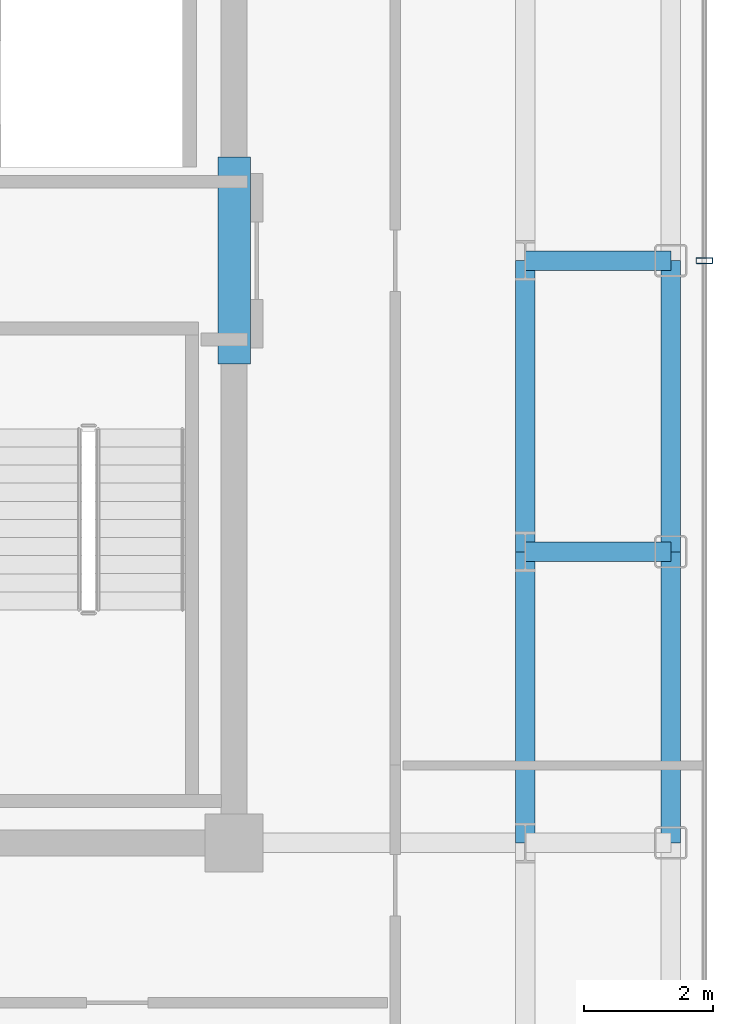
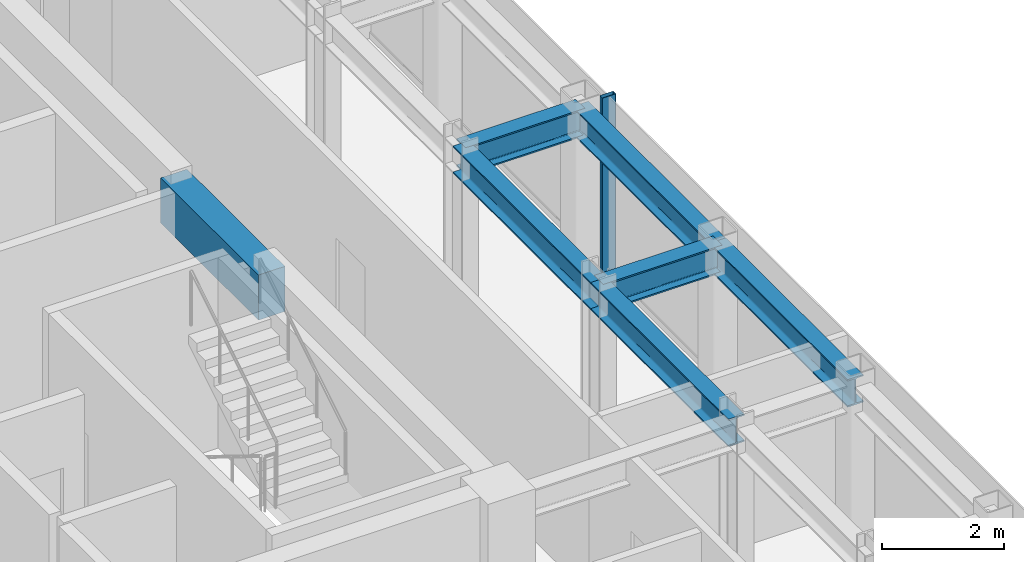
# One storey, part 7 of 18: 7 beams, 1 member, 1 element without a shape of its own.
"""IFC4 building model written with IfcOpenShell, lengths in metres."""

import ifcopenshell
import ifcopenshell.guid

model = None  # the IFC model being written
_history = None  # IfcOwnerHistory: only IFC2X3 demands one
_inside = {}  # id of a spatial element -> (the spatial element, [elements in it])
_under = {}  # id of a project, library or spatial element -> (it, [spatial elements below it])
_declared = {}  # id of a project -> (the project, [libraries it declares])
_typed = {}  # id of a type object -> (the type object, [elements of that type])
_made_of = {}  # id of a material, layer set ... -> (it, [elements and type objects made of it])


def new_model(schema):
    """Start an empty IFC model of exactly this schema.

    Asked for "IFC4X3", IfcOpenShell would pick the latest addendum, in which some entities
    have other attributes; the version numbers below select the first issue.
    IFC2X3 requires an IfcOwnerHistory on every rooted entity: one is made here for all.
    """
    global model, _history
    if schema == "IFC4X3":
        model = ifcopenshell.file(schema_version=(4, 3, 0, 0))
    else:
        model = ifcopenshell.file(schema=schema)
    _inside.clear()
    _under.clear()
    _declared.clear()
    _typed.clear()
    _made_of.clear()
    _history = None
    if model.schema == "IFC2X3":
        org = make("IfcOrganization", Name="unknown")
        user = make(
            "IfcPersonAndOrganization",
            ThePerson=make("IfcPerson", FamilyName="unknown"),
            TheOrganization=org,
        )
        app = make(
            "IfcApplication",
            ApplicationDeveloper=org,
            Version="unknown",
            ApplicationFullName="unknown",
            ApplicationIdentifier="unknown",
        )
        _history = make(
            "IfcOwnerHistory",
            OwningUser=user,
            OwningApplication=app,
            ChangeAction="ADDED",
            CreationDate=0,
        )
    return model


def make(cls, **values):
    """One entity of the class cls with the attributes given. An attribute that is None is left unset."""
    return model.create_entity(
        cls, **{name: value for name, value in values.items() if value is not None}
    )


def rooted(cls, **values):
    """An entity with a GlobalId (a new one), such as an element, a storey or a relation."""
    return make(cls, GlobalId=ifcopenshell.guid.new(), OwnerHistory=_history, **values)


def si_unit(unit_type, name, prefix=None):
    """IfcSIUnit, for example si_unit("LENGTHUNIT", "METRE", prefix="MILLI")."""
    return make("IfcSIUnit", UnitType=unit_type, Prefix=prefix, Name=name)


def assignment(units):
    """IfcUnitAssignment: the units of a project."""
    return None if units is None else make("IfcUnitAssignment", Units=units)


def point(xyz):
    """IfcCartesianPoint."""
    return None if xyz is None else make("IfcCartesianPoint", Coordinates=xyz)


def direction(xyz):
    """IfcDirection."""
    return None if xyz is None else make("IfcDirection", DirectionRatios=xyz)


def frame(location, z_axis=None, x_axis=None):
    """IfcAxis2Placement3D, a coordinate frame: its origin and axes. An axis left out is left unset."""
    return make(
        "IfcAxis2Placement3D",
        Location=point(location),
        Axis=direction(z_axis),
        RefDirection=direction(x_axis),
    )


def frame_2d(location, x_axis=None):
    """IfcAxis2Placement2D, a coordinate frame in the plane: its origin and x axis."""
    return make(
        "IfcAxis2Placement2D", Location=point(location), RefDirection=direction(x_axis)
    )


def origin():
    """The frame at (0, 0, 0) with its axes left unset."""
    return frame((0.0, 0.0, 0.0))


def origin_2d():
    """The frame at (0, 0) in the plane with its x axis left unset."""
    return frame_2d((0.0, 0.0))


def place(relative_to, where):
    """IfcLocalPlacement: puts the frame where relative to a parent placement (None: the world)."""
    return make(
        "IfcLocalPlacement", PlacementRelTo=relative_to, RelativePlacement=where
    )


def context(
    kind, dimensions, precision=None, world=None, true_north=None, identifier=None
):
    """IfcGeometricRepresentationContext, for example the 3D "Model" context."""
    return make(
        "IfcGeometricRepresentationContext",
        ContextIdentifier=identifier,
        ContextType=kind,
        CoordinateSpaceDimension=dimensions,
        Precision=precision,
        WorldCoordinateSystem=world,
        TrueNorth=true_north,
    )


def subcontext(parent, identifier, kind, view, scale=None):
    """IfcGeometricRepresentationSubContext, for example "Body" below "Model"."""
    return make(
        "IfcGeometricRepresentationSubContext",
        ContextIdentifier=identifier,
        ContextType=kind,
        ParentContext=parent,
        TargetScale=scale,
        TargetView=view,
    )


def project(units=None, contexts=None):
    """IfcProject with its units and contexts."""
    return rooted(
        "IfcProject",
        Name="project",
        RepresentationContexts=contexts,
        UnitsInContext=assignment(units),
    )


def spatial(cls, under=None, at=None, **own):
    """A site, building, storey or space (cls), placed at a placement, below another one or the project."""
    s = rooted(cls, ObjectPlacement=at, **own)
    if under is not None:
        _under.setdefault(under.id(), (under, []))[1].append(s)
    return s


def profile(cls, at=None, kind="AREA", **sizes):
    """A parametric profile (cls). Its sizes go by their IFC names, for example OverallWidth=200.0."""
    return make(cls, ProfileType=kind, Position=at, **sizes)


def rectangle(**sizes):
    """IfcRectangleProfileDef."""
    return profile("IfcRectangleProfileDef", **sizes)


def hollow_rectangle(**sizes):
    """IfcRectangleHollowProfileDef."""
    return profile("IfcRectangleHollowProfileDef", **sizes)


def i_section(**sizes):
    """IfcIShapeProfileDef."""
    return profile("IfcIShapeProfileDef", **sizes)


def extrude(swept, where, along, depth):
    """IfcExtrudedAreaSolid: the profile swept, set in the frame where, extruded along a direction by depth."""
    return make(
        "IfcExtrudedAreaSolid",
        SweptArea=swept,
        Position=where,
        ExtrudedDirection=direction(along),
        Depth=depth,
    )


def shape(context_of_items, identifier, shape_type, items):
    """IfcShapeRepresentation: the items that make up one representation, for example the "Body"."""
    return make(
        "IfcShapeRepresentation",
        ContextOfItems=context_of_items,
        RepresentationIdentifier=identifier,
        RepresentationType=shape_type,
        Items=items,
    )


def source(mapping_origin, context_of_items, identifier, shape_type, items):
    """IfcRepresentationMap: a shape defined once, which mapped items show again and again."""
    return make(
        "IfcRepresentationMap",
        MappingOrigin=mapping_origin,
        MappedRepresentation=shape(context_of_items, identifier, shape_type, items),
    )


def transform(
    local_origin,
    x_axis=None,
    y_axis=None,
    z_axis=None,
    scale=None,
    scale2=None,
    scale3=None,
    uniform=True,
):
    """IfcCartesianTransformationOperator3D, or its non-uniform kind. x_axis, y_axis, z_axis: its Axis1, 2, 3."""
    if uniform:
        return make(
            "IfcCartesianTransformationOperator3D",
            Axis1=direction(x_axis),
            Axis2=direction(y_axis),
            LocalOrigin=point(local_origin),
            Scale=scale,
            Axis3=direction(z_axis),
        )
    return make(
        "IfcCartesianTransformationOperator3DnonUniform",
        Axis1=direction(x_axis),
        Axis2=direction(y_axis),
        LocalOrigin=point(local_origin),
        Scale=scale,
        Axis3=direction(z_axis),
        Scale2=scale2,
        Scale3=scale3,
    )


def mapped(mapping_source, mapping_target):
    """IfcMappedItem: shows the shape of a source again, moved by a transform."""
    return make(
        "IfcMappedItem", MappingSource=mapping_source, MappingTarget=mapping_target
    )


def material(Name=None, Category=None):
    """IfcMaterial."""
    return make("IfcMaterial", Name=Name, Category=Category)


def layer(
    of_material, thickness, ventilated=None, Name=None, Category=None, Priority=None
):
    """IfcMaterialLayer: one layer of a wall or slab, of a material (None: an air gap)."""
    return make(
        "IfcMaterialLayer",
        Material=of_material,
        LayerThickness=thickness,
        IsVentilated=ventilated,
        Name=Name,
        Category=Category,
        Priority=Priority,
    )


def layer_set(layers, Name=None):
    """IfcMaterialLayerSet."""
    return make("IfcMaterialLayerSet", MaterialLayers=layers, LayerSetName=Name)


def material_profile(
    of_material, cross_section, Name=None, Category=None, Priority=None
):
    """IfcMaterialProfile: a cross section and its material."""
    return make(
        "IfcMaterialProfile",
        Name=Name,
        Material=of_material,
        Profile=cross_section,
        Priority=Priority,
        Category=Category,
    )


def profile_set(profiles, Name=None, composite=None):
    """IfcMaterialProfileSet."""
    return make(
        "IfcMaterialProfileSet",
        Name=Name,
        MaterialProfiles=profiles,
        CompositeProfile=composite,
    )


def made_of(thing, what):
    """Note that an element or type object is made of a material, layer set ...; save() writes the relation."""
    if what is not None:
        _made_of.setdefault(what.id(), (what, []))[1].append(thing)
    return thing


def type_object(cls, material=None, **own):
    """A type object (cls), such as IfcWallType, which elements share."""
    return made_of(rooted(cls, **own), material)


def element(
    cls,
    number,
    at=None,
    inside=None,
    cuts=None,
    type_object=None,
    material=None,
    context=None,
    identifier="Body",
    shape_type=None,
    held_by="IfcProductDefinitionShape",
    body=None,
    shapes=None,
    **own,
):
    """One element of the class cls, such as IfcWall. Its Tag is "e" and its number.

    at: its placement. inside: the storey or other place that contains it. cuts: it is an
    opening in that element (IfcRelVoidsElement). A single representation is given by context,
    identifier, shape_type and body (its items); several are given by shapes. held_by: the class
    of the entity that holds the representations. save() writes the other relations.
    """
    e = rooted(cls, Tag="e%d" % number, ObjectPlacement=at, **own)
    if body is not None:
        shapes = [shape(context, identifier, shape_type, body)]
    if shapes is not None:
        e.Representation = make(held_by, Representations=shapes)
    if inside is not None:
        _inside.setdefault(inside.id(), (inside, []))[1].append(e)
    if cuts is not None:
        rooted(
            "IfcRelVoidsElement", RelatingBuildingElement=cuts, RelatedOpeningElement=e
        )
    if type_object is not None:
        _typed.setdefault(type_object.id(), (type_object, []))[1].append(e)
    return made_of(e, material)


def aggregate(whole, parts):
    """IfcRelAggregates: a whole, such as a stair, and the parts it consists of."""
    return rooted("IfcRelAggregates", RelatingObject=whole, RelatedObjects=parts)


def save(model, path):
    """Write the relations noted so far, then the file.

    IfcRelAggregates (storeys below a building ...), IfcRelContainedInSpatialStructure (elements
    in a storey), IfcRelDefinesByType, IfcRelAssociatesMaterial and IfcRelDeclares: one each for
    every whole, place, type object, material and project.
    """
    for whole, parts in _under.values():
        aggregate(whole, parts)
    for where, things in _inside.values():
        rooted(
            "IfcRelContainedInSpatialStructure",
            RelatedElements=things,
            RelatingStructure=where,
        )
    for kind, things in _typed.values():
        rooted("IfcRelDefinesByType", RelatedObjects=things, RelatingType=kind)
    for what, things in _made_of.values():
        rooted("IfcRelAssociatesMaterial", RelatedObjects=things, RelatingMaterial=what)
    for by, libraries in _declared.values():
        rooted("IfcRelDeclares", RelatingContext=by, RelatedDefinitions=libraries)
    model.write(path)


model = new_model("IFC4")

# Units and contexts
model_context = context("Model", 3, precision=1e-05, world=origin(), true_north=direction((0.0, 1.0)))
body_context = subcontext(model_context, "Body", "Model", "MODEL_VIEW")
ifc_project = project(units=[si_unit("LENGTHUNIT", "METRE"), si_unit("AREAUNIT", "SQUARE_METRE"), si_unit("VOLUMEUNIT", "CUBIC_METRE"), si_unit("PLANEANGLEUNIT", "RADIAN"), si_unit("MASSUNIT", "GRAM", prefix="KILO")], contexts=[model_context])

# Site, building, storey
site_placement = place(None, origin())
site = spatial("IfcSite", under=ifc_project, at=site_placement, CompositionType="ELEMENT")
building_placement = place(site_placement, origin())
building = spatial("IfcBuilding", under=site, at=building_placement, Name="Nefas-Gora Pilgrimage Tower", CompositionType="ELEMENT")
storey_placement = place(building_placement, frame((0.0, 0.0, 326.199951171875)))
storey = spatial("IfcBuildingStorey", under=building, at=storey_placement, Name="L82", CompositionType="ELEMENT", Elevation=326.199951171875)

# Beams
ifc_material_1 = material(Name="Concrete C50/60", Category="concrete")
ifc_material_profile_1 = material_profile(ifc_material_1, rectangle(XDim=0.5, YDim=0.89990234375, at=origin_2d()), Name="RC 500x900")
ifc_profile_set_1 = profile_set([ifc_material_profile_1], Name="Concrete C50/60")
beam_type_1 = type_object("IfcBeamType", Name="BM-LIN-RC900", PredefinedType="LINTEL", material=ifc_profile_set_1)
shared_shape_1 = source(origin(), body_context, "Body", "SweptSolid", [
    extrude(rectangle(XDim=0.5, YDim=0.89990234375, at=origin_2d()), origin(), (0.0, 0.0, 1.0), 3.2001953125),
])
beam_placement = place(storey_placement, frame((11.25, -1.60009765625, 3.10009765625), z_axis=(0.0, 1.0, 0.0), x_axis=(-1.0, 0.0, 0.0)))
element("IfcBeam", 1, at=beam_placement, inside=storey, type_object=beam_type_1, Name="L82 Core Coupling Lintel Beam E", PredefinedType="LINTEL", context=body_context, shape_type="MappedRepresentation", body=[
    mapped(shared_shape_1, transform((0.0, 0.0, 0.0), x_axis=(1.0, 0.0, 0.0), y_axis=(0.0, 1.0, 0.0), z_axis=(0.0, 0.0, 1.0), scale=1.0)),
])
ifc_material_2 = material(Name="Steel S355", Category="steel")
ifc_material_profile_2 = material_profile(ifc_material_2, i_section(OverallWidth=0.300048828125, OverallDepth=0.550048828125, WebThickness=0.014892578125, FlangeThickness=0.029052734375, FilletRadius=0.027099609375, at=origin_2d()), Name="HEB 550")
ifc_profile_set_2 = profile_set([ifc_material_profile_2], Name="Steel S355")
beam_type_2 = type_object("IfcBeamType", Name="BM-SPN-HEB400", PredefinedType="SPANDREL", material=ifc_profile_set_2)
shared_shape_2 = source(origin(), body_context, "Body", "SweptSolid", [
    extrude(i_section(OverallWidth=0.300048828125, OverallDepth=0.550048828125, WebThickness=0.014892578125, FlangeThickness=0.029052734375, FilletRadius=0.027099609375, at=origin_2d()), origin(), (0.0, 0.0, 1.0), 4.5),
])
for number, where, z_axis, x_axis, name in (
    (2, (18.0, -9.0, 3.275146484375), (0.0, 1.0, 0.0), (-1.0, 0.0, 0.0), "L82 SP-04 beam"),
    (3, (18.0, -4.5, 3.275146484375), (0.0, 1.0, 0.0), (-1.0, 0.0, 0.0), "L82 SP-04 beam"),
):
    element("IfcBeam", number, at=place(storey_placement, frame(where, z_axis=z_axis, x_axis=x_axis)), inside=storey, type_object=beam_type_2, Name=name, PredefinedType="SPANDREL", context=body_context, shape_type="MappedRepresentation", body=[
        mapped(shared_shape_2, transform((0.0, 0.0, 0.0), x_axis=(1.0, 0.0, 0.0), y_axis=(0.0, 1.0, 0.0), z_axis=(0.0, 0.0, 1.0), scale=1.0)),
    ])
ifc_material_profile_3 = material_profile(ifc_material_2, i_section(OverallWidth=0.300048828125, OverallDepth=0.550048828125, WebThickness=0.014892578125, FlangeThickness=0.029052734375, FilletRadius=0.027099609375, at=origin_2d()), Name="HEB 550")
ifc_profile_set_3 = profile_set([ifc_material_profile_3], Name="Steel S355")
beam_type_3 = type_object("IfcBeamType", Name="BM-GIR-HEB550", PredefinedType="BEAM", material=ifc_profile_set_3)
shared_shape_3 = source(origin(), body_context, "Body", "SweptSolid", [
    extrude(i_section(OverallWidth=0.300048828125, OverallDepth=0.550048828125, WebThickness=0.014892578125, FlangeThickness=0.029052734375, FilletRadius=0.027099609375, at=origin_2d()), origin(), (0.0, 0.0, 1.0), 4.5),
])
for number, where, z_axis, x_axis, name in (
    (4, (15.75, -9.0, 3.275146484375), (0.0, 1.0, 0.0), (-1.0, 0.0, 0.0), "L82 G-05 beam"),
    (5, (15.75, -4.5, 3.275146484375), (0.0, 1.0, 0.0), (-1.0, 0.0, 0.0), "L82 G-05 beam"),
):
    element("IfcBeam", number, at=place(storey_placement, frame(where, z_axis=z_axis, x_axis=x_axis)), inside=storey, type_object=beam_type_3, Name=name, PredefinedType="BEAM", context=body_context, shape_type="MappedRepresentation", body=[
        mapped(shared_shape_3, transform((0.0, 0.0, 0.0), x_axis=(1.0, 0.0, 0.0), y_axis=(0.0, 1.0, 0.0), z_axis=(0.0, 0.0, 1.0), scale=1.0)),
    ])
shared_shape_4 = source(origin(), body_context, "Body", "SweptSolid", [
    extrude(i_section(OverallWidth=0.300048828125, OverallDepth=0.550048828125, WebThickness=0.014892578125, FlangeThickness=0.029052734375, FilletRadius=0.027099609375, at=origin_2d()), origin(), (0.0, 0.0, 1.0), 2.25),
])
for number, where, z_axis, x_axis, name in (
    (6, (15.75, -4.5, 3.275146484375), (1.0, 0.0, 0.0), (0.0, 1.0, 0.0), "L82 G-05 beam"),
    (7, (15.75, 0.0, 3.275146484375), (1.0, 0.0, 0.0), (0.0, 1.0, 0.0), "L82 G-05 beam"),
):
    element("IfcBeam", number, at=place(storey_placement, frame(where, z_axis=z_axis, x_axis=x_axis)), inside=storey, type_object=beam_type_3, Name=name, PredefinedType="BEAM", context=body_context, shape_type="MappedRepresentation", body=[
        mapped(shared_shape_4, transform((0.0, 0.0, 0.0), x_axis=(1.0, 0.0, 0.0), y_axis=(0.0, 1.0, 0.0), z_axis=(0.0, 0.0, 1.0), scale=1.0)),
    ])

# Curtain wall, member
ifc_material_3 = material(Name="Dark ceramic-fritted solar-control aluminium-glass curtain wall", Category="aluminium")
ifc_layer = layer(ifc_material_3, 0.219970703125)
ifc_layer_set = layer_set([ifc_layer], Name="Dark ceramic-fritted solar-control aluminium-glass curtain wall")
curtain_wall_type = type_object("IfcCurtainWallType", Name="CW-SYS-4", PredefinedType="NOTDEFINED", material=ifc_layer_set)
curtain_wall_placement = place(storey_placement, origin())
curtain_wall = element("IfcCurtainWall", 8, at=curtain_wall_placement, inside=storey, type_object=curtain_wall_type, Name="L82 Unitised Curtain Wall CW4", PredefinedType="NOTDEFINED")
ifc_material_4 = material(Name="Anodised architectural aluminium", Category="aluminium")
ifc_material_profile_4 = material_profile(ifc_material_4, hollow_rectangle(XDim=0.090087890625, YDim=0.260009765625, WallThickness=0.006103515625, InnerFilletRadius=0.006103515625, OuterFilletRadius=0.011962890625, at=origin_2d()), Name="ALU MULLION 90x260")
ifc_profile_set_4 = profile_set([ifc_material_profile_4], Name="Anodised architectural aluminium")
member_type = type_object("IfcMemberType", Name="CWM-MUL-4", PredefinedType="MULLION", material=ifc_profile_set_4)
shared_shape_5 = source(origin(), body_context, "Body", "SweptSolid", [
    extrude(hollow_rectangle(XDim=0.090087890625, YDim=0.260009765625, WallThickness=0.006103515625, InnerFilletRadius=0.006103515625, OuterFilletRadius=0.011962890625, at=origin_2d()), origin(), (0.0, 0.0, 1.0), 3.550048828125),
])
member_placement = place(storey_placement, frame((18.52001953125, 0.0, 0.0), z_axis=(0.0, 0.0, 1.0), x_axis=(0.0, 1.0, 0.0)))
member = element("IfcMember", 9, at=member_placement, type_object=member_type, Name="CW4 Mullion 2", PredefinedType="MULLION", context=body_context, shape_type="MappedRepresentation", body=[
    mapped(shared_shape_5, transform((0.0, 0.0, 0.0), x_axis=(1.0, 0.0, 0.0), y_axis=(0.0, 1.0, 0.0), z_axis=(0.0, 0.0, 1.0), scale=1.0)),
])
aggregate(curtain_wall, [member])

save(model, "model.ifc")
